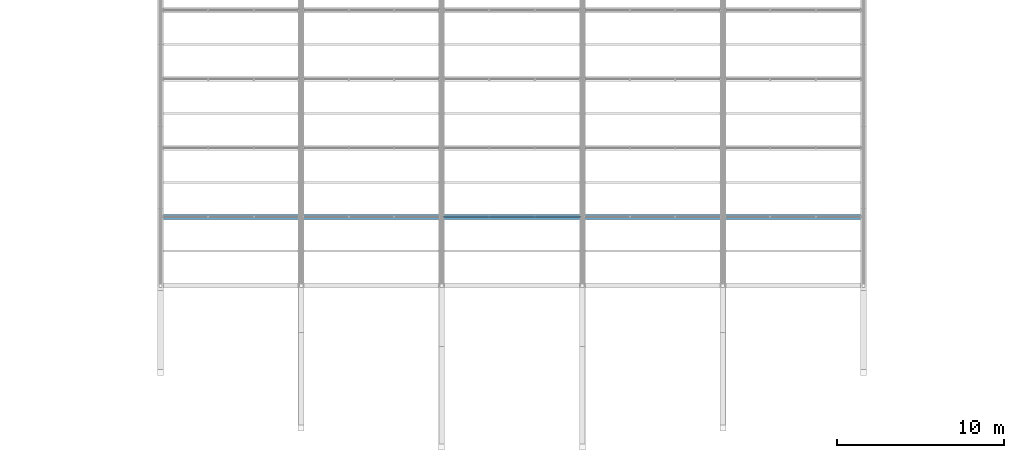
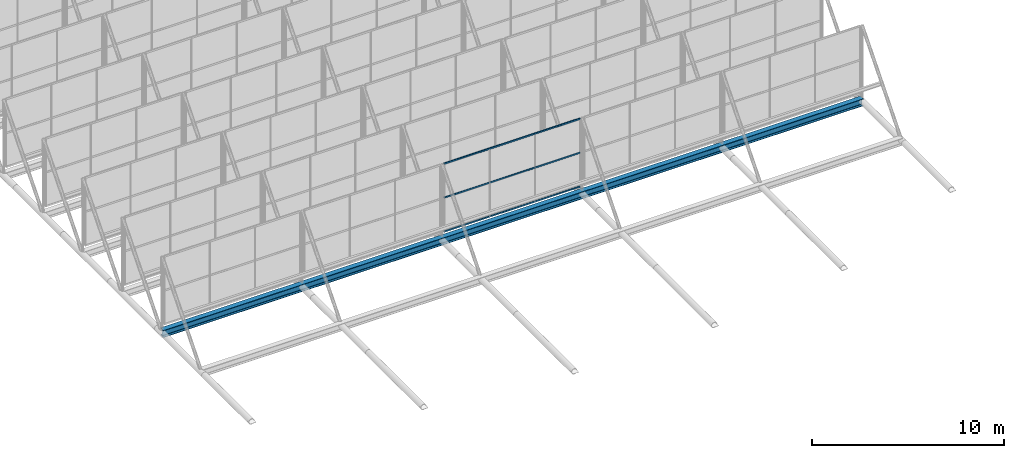
# One storey, part 8 of 77: 3 members, 1 beam, 1 element without a shape of its own.
"""IFC4 building model written with IfcOpenShell, lengths in metres."""

from ifc_helpers import new_model, si_unit, derived_unit, direction, frame, origin, origin_2d, place, context, subcontext, project, spatial, hollow_rectangle, i_section, extrude, material, material_profile, profile_set, type_object, element, aggregate, save


model = new_model("IFC4")

# Units and contexts
model_context = context("Model", 3, precision=1e-05, world=origin(), true_north=direction((0.0, 1.0)))
body_context = subcontext(model_context, "Body", "Model", "MODEL_VIEW")
ifc_project = project(units=[si_unit("LENGTHUNIT", "METRE"), si_unit("AREAUNIT", "SQUARE_METRE"), si_unit("VOLUMEUNIT", "CUBIC_METRE"), si_unit("PLANEANGLEUNIT", "RADIAN"), si_unit("MASSUNIT", "GRAM", prefix="KILO"), derived_unit("THERMALTRANSMITTANCEUNIT", [(si_unit("MASSUNIT", "GRAM", prefix="KILO"), 1), (si_unit("TIMEUNIT", "SECOND"), -3), (si_unit("THERMODYNAMICTEMPERATUREUNIT", "KELVIN"), -1)])], contexts=[model_context])

# Site, building, storey
site_placement = place(None, origin())
site = spatial("IfcSite", under=ifc_project, at=site_placement, CompositionType="ELEMENT")
building_placement = place(site_placement, origin())
building = spatial("IfcBuilding", under=site, at=building_placement, Name="Kharveza Railside Sports Centre", CompositionType="ELEMENT")
storey_placement = place(building_placement, frame((0.0, 0.0, 17.10009765625)))
storey = spatial("IfcBuildingStorey", under=building, at=storey_placement, Name="L04", CompositionType="ELEMENT", Elevation=17.10009765625)

# Beam
ifc_material_1 = material(Name="Steel S355J2", Category="steel")
ifc_material_profile_1 = material_profile(ifc_material_1, i_section(OverallWidth=0.300048828125, OverallDepth=0.449951171875, WebThickness=0.013916015625, FlangeThickness=0.02587890625, FilletRadius=0.027099609375, at=origin_2d()), Name="HEB 450")
ifc_profile_set_1 = profile_set([ifc_material_profile_1], Name="Steel S355J2")
beam_type = type_object("IfcBeamType", Name="BM-G06", PredefinedType="T_BEAM", material=ifc_profile_set_1)
beam_placement = place(storey_placement, frame((33.60009765625, 40.1142578125, -1.050048828125), z_axis=(1.0, 0.0, 0.0), x_axis=(0.0, 1.0, 0.0)))
element("IfcBeam", 1, at=beam_placement, inside=storey, type_object=beam_type, Name="BM-V1SAW-VAL-2", PredefinedType="T_BEAM", context=body_context, shape_type="SweptSolid", body=[
    extrude(i_section(OverallWidth=0.300048828125, OverallDepth=0.449951171875, WebThickness=0.013916015625, FlangeThickness=0.02587890625, FilletRadius=0.027099609375, at=origin_2d()), origin(), (0.0, 0.0, 1.0), 42.0),
])

# Curtain wall, members
ifc_material_2 = material(Name="Low-E solar-control laminated glass", Category="glass")
curtain_wall_type = type_object("IfcCurtainWallType", Name="CW-NL01", PredefinedType="NOTDEFINED", material=ifc_material_2)
curtain_wall_placement = place(storey_placement, origin())
curtain_wall = element("IfcCurtainWall", 2, at=curtain_wall_placement, inside=storey, type_object=curtain_wall_type, Name="CW-V1NL-1-3", PredefinedType="NOTDEFINED")
ifc_material_3 = material(Name="Anodised aluminium 6063-T6", Category="aluminium")
ifc_material_profile_2 = material_profile(ifc_material_3, hollow_rectangle(XDim=0.06005859375, YDim=0.10009765625, WallThickness=0.00390625, InnerFilletRadius=0.00390625, OuterFilletRadius=0.008056640625, at=origin_2d()), Name="RHS 60x100x4.0")
ifc_profile_set_2 = profile_set([ifc_material_profile_2], Name="Anodised aluminium 6063-T6")
member_type = type_object("IfcMemberType", Name="CW-TR05", PredefinedType="USERDEFINED", material=ifc_profile_set_2)
member_1_placement = place(storey_placement, frame((50.52001953125, 40.1142578125, -0.550048828125), z_axis=(1.0, 0.0, 0.0), x_axis=(0.0, 1.0, 0.0)))
member_1 = element("IfcMember", 3, at=member_1_placement, type_object=member_type, Name="CW-V1NL-1-3-TR1", ObjectType="TRANSOM", PredefinedType="USERDEFINED", context=body_context, shape_type="SweptSolid", body=[
    extrude(hollow_rectangle(XDim=0.06005859375, YDim=0.10009765625, WallThickness=0.00390625, InnerFilletRadius=0.00390625, OuterFilletRadius=0.008056640625, at=origin_2d()), origin(), (0.0, 0.0, 1.0), 8.159912109375),
])
member_2_placement = place(storey_placement, frame((50.52001953125, 40.1142578125, 1.599853515625), z_axis=(1.0, 0.0, 0.0), x_axis=(0.0, 1.0, 0.0)))
member_2 = element("IfcMember", 4, at=member_2_placement, type_object=member_type, Name="CW-V1NL-1-3-TR2", ObjectType="TRANSOM", PredefinedType="USERDEFINED", context=body_context, shape_type="SweptSolid", body=[
    extrude(hollow_rectangle(XDim=0.06005859375, YDim=0.10009765625, WallThickness=0.00390625, InnerFilletRadius=0.00390625, OuterFilletRadius=0.008056640625, at=origin_2d()), origin(), (0.0, 0.0, 1.0), 8.159912109375),
])
member_3_placement = place(storey_placement, frame((50.52001953125, 40.1142578125, 3.75), z_axis=(1.0, 0.0, 0.0), x_axis=(0.0, 1.0, 0.0)))
member_3 = element("IfcMember", 5, at=member_3_placement, type_object=member_type, Name="CW-V1NL-1-3-TR3", ObjectType="TRANSOM", PredefinedType="USERDEFINED", context=body_context, shape_type="SweptSolid", body=[
    extrude(hollow_rectangle(XDim=0.06005859375, YDim=0.10009765625, WallThickness=0.00390625, InnerFilletRadius=0.00390625, OuterFilletRadius=0.008056640625, at=origin_2d()), origin(), (0.0, 0.0, 1.0), 8.159912109375),
])
aggregate(curtain_wall, [member_1, member_2, member_3])

save(model, "model.ifc")
